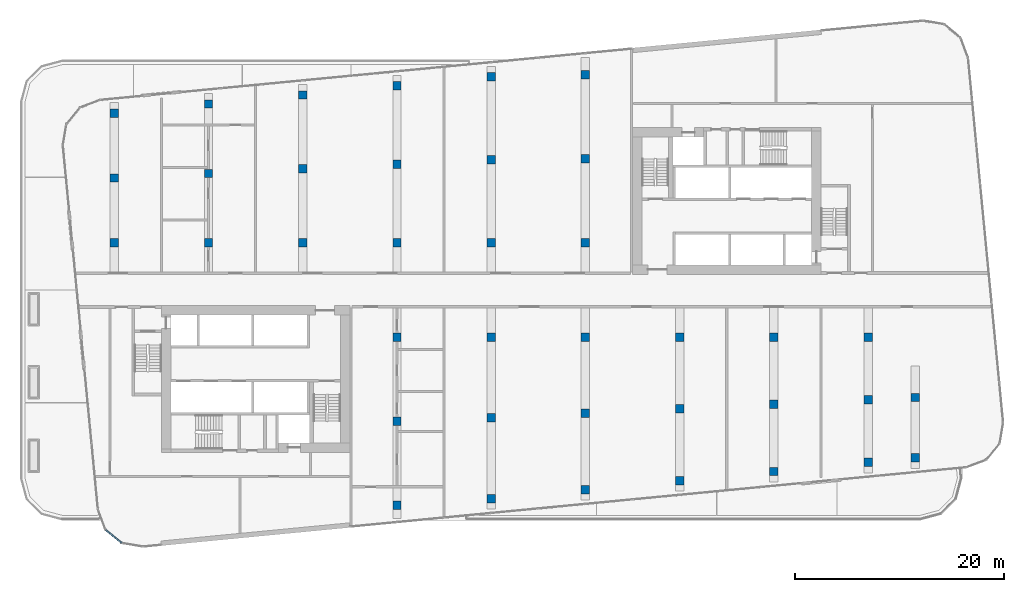
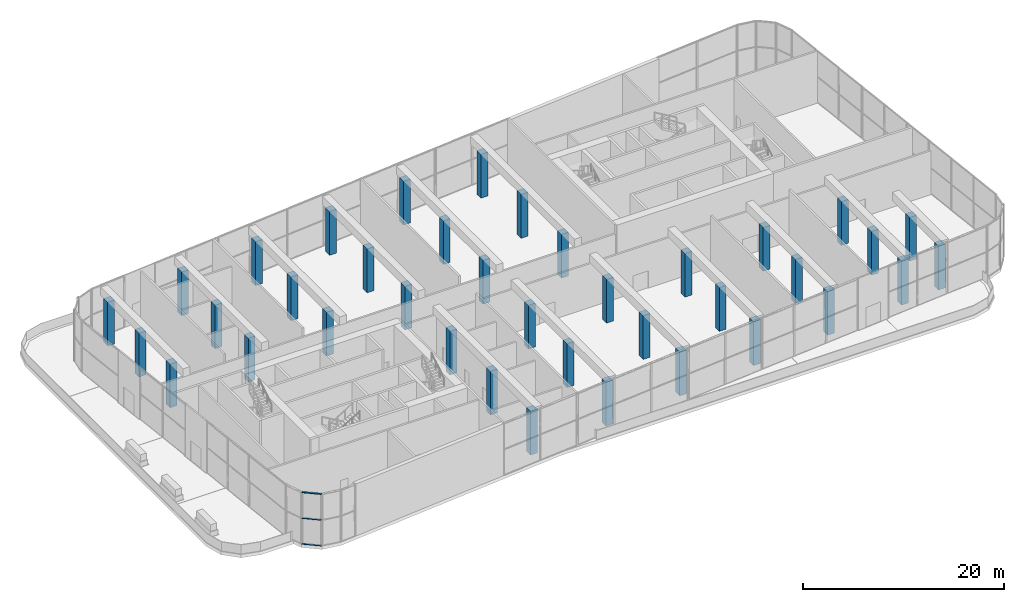
# One storey, part 1 of 25: 38 columns, 3 members, 1 element without a shape of its own.
"""IFC4 building model written with IfcOpenShell, lengths in metres."""

from ifc_helpers import new_model, si_unit, direction, frame, origin, origin_2d, place, context, subcontext, project, spatial, rectangle, extrude, material, material_profile, profile_set, type_object, element, aggregate, save


model = new_model("IFC4")

# Units and contexts
model_context = context("Model", 3, precision=1e-05, world=origin(), true_north=direction((0.0, 1.0)))
body_context = subcontext(model_context, "Body", "Model", "MODEL_VIEW")
ifc_project = project(units=[si_unit("LENGTHUNIT", "METRE"), si_unit("AREAUNIT", "SQUARE_METRE"), si_unit("VOLUMEUNIT", "CUBIC_METRE"), si_unit("PLANEANGLEUNIT", "RADIAN"), si_unit("MASSUNIT", "GRAM", prefix="KILO")], contexts=[model_context])

# Site, building, storey
site_placement = place(None, origin())
site = spatial("IfcSite", under=ifc_project, at=site_placement, CompositionType="ELEMENT")
building_placement = place(site_placement, origin())
building = spatial("IfcBuilding", under=site, at=building_placement, Name="Kajstack Hotel Tower", CompositionType="ELEMENT")
storey_placement = place(building_placement, frame((0.0, 0.0, 104.199951171875)))
storey = spatial("IfcBuildingStorey", under=building, at=storey_placement, Name="L22", CompositionType="ELEMENT", Elevation=104.199951171875)

# Columns
ifc_material_1 = material(Name="Concrete C55/67", Category="concrete")
ifc_material_profile_1 = material_profile(ifc_material_1, rectangle(XDim=0.800048828125, YDim=0.800048828125, at=origin_2d()), Name="RC 800x800")
ifc_profile_set_1 = profile_set([ifc_material_profile_1], Name="Concrete C55/67")
column_type = type_object("IfcColumnType", Name="GC2 RC 800x800 C55/67", PredefinedType="COLUMN", material=ifc_profile_set_1)
for number, where, z_axis, x_axis, name in (
    (1, (-36.0, 4.5, 0.0), (0.0, 0.0, 1.0), (1.0, 0.0, 0.0), "S-col-g-L22--36p0+4p5"),
    (2, (-36.0, 10.697998046875, 0.0), (0.0, 0.0, 1.0), (1.0, 0.0, 0.0), "S-col-g-L22--36p0+10p7"),
    (3, (-36.0, 16.895751953125, 0.0), (0.0, 0.0, 1.0), (1.0, 0.0, 0.0), "S-col-g-L22--36p0+16p9"),
    (4, (-27.0, 4.5, 0.0), (0.0, 0.0, 1.0), (1.0, 0.0, 0.0), "S-col-g-L22--27p0+4p5"),
    (5, (-27.0, 11.131103515625, 0.0), (0.0, 0.0, 1.0), (1.0, 0.0, 0.0), "S-col-g-L22--27p0+11p1"),
    (6, (-27.0, 17.762451171875, 0.0), (0.0, 0.0, 1.0), (1.0, 0.0, 0.0), "S-col-g-L22--27p0+17p8"),
    (7, (-18.0, 4.5, 0.0), (0.0, 0.0, 1.0), (1.0, 0.0, 0.0), "S-col-g-L22--18p0+4p5"),
    (8, (-18.0, 11.564453125, 0.0), (0.0, 0.0, 1.0), (1.0, 0.0, 0.0), "S-col-g-L22--18p0+11p6"),
    (9, (-18.0, 18.62890625, 0.0), (0.0, 0.0, 1.0), (1.0, 0.0, 0.0), "S-col-g-L22--18p0+18p6"),
    (10, (-9.0, -20.550048828125, 0.0), (0.0, 0.0, 1.0), (1.0, 0.0, 0.0), "S-col-g-L22--9p0-20p6"),
    (11, (-9.0, -12.52490234375, 0.0), (0.0, 0.0, 1.0), (1.0, 0.0, 0.0), "S-col-g-L22--9p0-12p5"),
    (12, (-9.0, -4.5, 0.0), (0.0, 0.0, 1.0), (1.0, 0.0, 0.0), "S-col-g-L22--9p0-4p5"),
    (13, (-9.0, 4.5, 0.0), (0.0, 0.0, 1.0), (1.0, 0.0, 0.0), "S-col-g-L22--9p0+4p5"),
    (14, (-9.0, 11.997802734375, 0.0), (0.0, 0.0, 1.0), (1.0, 0.0, 0.0), "S-col-g-L22--9p0+12p0"),
    (15, (-9.0, 19.49560546875, 0.0), (0.0, 0.0, 1.0), (1.0, 0.0, 0.0), "S-col-g-L22--9p0+19p5"),
    (16, (0.0, -19.9326171875, 0.0), (0.0, 0.0, 1.0), (1.0, 0.0, 0.0), "S-col-g-L22-+0p0-19p9"),
    (17, (0.0, -12.21630859375, 0.0), (0.0, 0.0, 1.0), (1.0, 0.0, 0.0), "S-col-g-L22-+0p0-12p2"),
    (18, (0.0, -4.5, 0.0), (0.0, 0.0, 1.0), (1.0, 0.0, 0.0), "S-col-g-L22-+0p0-4p5"),
    (19, (0.0, 4.5, 0.0), (0.0, 0.0, 1.0), (1.0, 0.0, 0.0), "S-col-g-L22-+0p0+4p5"),
    (20, (0.0, 12.43115234375, 0.0), (0.0, 0.0, 1.0), (1.0, 0.0, 0.0), "S-col-g-L22-+0p0+12p4"),
    (21, (0.0, 20.3623046875, 0.0), (0.0, 0.0, 1.0), (1.0, 0.0, 0.0), "S-col-g-L22-+0p0+20p4"),
    (22, (9.0, -19.06591796875, 0.0), (0.0, 0.0, 1.0), (1.0, 0.0, 0.0), "S-col-g-L22-+9p0-19p1"),
    (23, (9.0, -11.782958984375, 0.0), (0.0, 0.0, 1.0), (1.0, 0.0, 0.0), "S-col-g-L22-+9p0-11p8"),
    (24, (9.0, -4.5, 0.0), (0.0, 0.0, 1.0), (1.0, 0.0, 0.0), "S-col-g-L22-+9p0-4p5"),
    (25, (9.0, 4.5, 0.0), (0.0, 0.0, 1.0), (1.0, 0.0, 0.0), "S-col-g-L22-+9p0+4p5"),
    (26, (9.0, 12.52490234375, 0.0), (0.0, 0.0, 1.0), (1.0, 0.0, 0.0), "S-col-g-L22-+9p0+12p5"),
    (27, (9.0, 20.550048828125, 0.0), (0.0, 0.0, 1.0), (1.0, 0.0, 0.0), "S-col-g-L22-+9p0+20p6"),
    (28, (18.0, -18.19921875, 0.0), (0.0, 0.0, 1.0), (1.0, 0.0, 0.0), "S-col-g-L22-+18p0-18p2"),
    (29, (18.0, -11.349609375, 0.0), (0.0, 0.0, 1.0), (1.0, 0.0, 0.0), "S-col-g-L22-+18p0-11p3"),
    (30, (18.0, -4.5, 0.0), (0.0, 0.0, 1.0), (1.0, 0.0, 0.0), "S-col-g-L22-+18p0-4p5"),
    (31, (27.0, -17.332763671875, 0.0), (0.0, 0.0, 1.0), (1.0, 0.0, 0.0), "S-col-g-L22-+27p0-17p3"),
    (32, (27.0, -10.916259765625, 0.0), (0.0, 0.0, 1.0), (1.0, 0.0, 0.0), "S-col-g-L22-+27p0-10p9"),
    (33, (27.0, -4.5, 0.0), (0.0, 0.0, 1.0), (1.0, 0.0, 0.0), "S-col-g-L22-+27p0-4p5"),
    (34, (36.0, -16.466064453125, 0.0), (0.0, 0.0, 1.0), (1.0, 0.0, 0.0), "S-col-g-L22-+36p0-16p5"),
    (35, (36.0, -10.483154296875, 0.0), (0.0, 0.0, 1.0), (1.0, 0.0, 0.0), "S-col-g-L22-+36p0-10p5"),
    (36, (36.0, -4.5, 0.0), (0.0, 0.0, 1.0), (1.0, 0.0, 0.0), "S-col-g-L22-+36p0-4p5"),
    (37, (40.5, -16.03271484375, 0.0), (0.0, 0.0, 1.0), (1.0, 0.0, 0.0), "S-col-g-L22-+40p5-16p0"),
    (38, (40.5, -10.266357421875, 0.0), (0.0, 0.0, 1.0), (1.0, 0.0, 0.0), "S-col-g-L22-+40p5-10p3"),
):
    element("IfcColumn", number, at=place(storey_placement, frame(where, z_axis=z_axis, x_axis=x_axis)), inside=storey, type_object=column_type, Name=name, PredefinedType="COLUMN", context=body_context, shape_type="SweptSolid", body=[
        extrude(rectangle(XDim=0.800048828125, YDim=0.800048828125, at=origin_2d()), origin(), (0.0, 0.0, 1.0), 5.320068359375),
    ])

# Curtain wall, members
ifc_material_2 = material(Name="Aluminium-framed curtain wall, low-iron insulated glass", Category="aluminium")
curtain_wall_type = type_object("IfcCurtainWallType", Name="CW-GARDEN", PredefinedType="NOTDEFINED", material=ifc_material_2)
curtain_wall_placement = place(storey_placement, origin())
curtain_wall = element("IfcCurtainWall", 39, at=curtain_wall_placement, inside=storey, type_object=curtain_wall_type, Name="Curtain wall CU6 L22-02-00-0", PredefinedType="NOTDEFINED")
ifc_material_3 = material(Name="Aluminium", Category="aluminium")
ifc_material_profile_2 = material_profile(ifc_material_3, rectangle(XDim=0.139892578125, YDim=0.06005859375, at=origin_2d()), Name="Aluminium transom 140 x 60")
ifc_profile_set_2 = profile_set([ifc_material_profile_2], Name="Aluminium")
member_type = type_object("IfcMemberType", Name="CW-T-GARDEN", PredefinedType="USERDEFINED", material=ifc_profile_set_2)
member_1_placement = place(storey_placement, frame((-36.80322265625, -22.908447265625, 0.030029296875), z_axis=(0.771626660907, -0.636075700037, 0.0), x_axis=(0.636075700037, 0.771626660907, 0.0)))
member_1 = element("IfcMember", 40, at=member_1_placement, type_object=member_type, Name="CU6 transom 1.1", ObjectType="TRANSOM", PredefinedType="USERDEFINED", context=body_context, shape_type="SweptSolid", body=[
    extrude(rectangle(XDim=0.139892578125, YDim=0.06005859375, at=origin_2d()), origin(), (0.0, 0.0, 1.0), 1.95068359375),
])
member_2_placement = place(storey_placement, frame((-36.80322265625, -22.908447265625, 3.16015625), z_axis=(0.771626660907, -0.636075700037, 0.0), x_axis=(0.636075700037, 0.771626660907, 0.0)))
member_2 = element("IfcMember", 41, at=member_2_placement, type_object=member_type, Name="CU6 transom 1.2", ObjectType="TRANSOM", PredefinedType="USERDEFINED", context=body_context, shape_type="SweptSolid", body=[
    extrude(rectangle(XDim=0.139892578125, YDim=0.06005859375, at=origin_2d()), origin(), (0.0, 0.0, 1.0), 1.95068359375),
])
member_3_placement = place(storey_placement, frame((-36.80322265625, -22.908447265625, 6.2900390625), z_axis=(0.771626660907, -0.636075700037, 0.0), x_axis=(0.636075700037, 0.771626660907, 0.0)))
member_3 = element("IfcMember", 42, at=member_3_placement, type_object=member_type, Name="CU6 transom 1.3", ObjectType="TRANSOM", PredefinedType="USERDEFINED", context=body_context, shape_type="SweptSolid", body=[
    extrude(rectangle(XDim=0.139892578125, YDim=0.06005859375, at=origin_2d()), origin(), (0.0, 0.0, 1.0), 1.95068359375),
])
aggregate(curtain_wall, [member_1, member_2, member_3])

save(model, "model.ifc")
